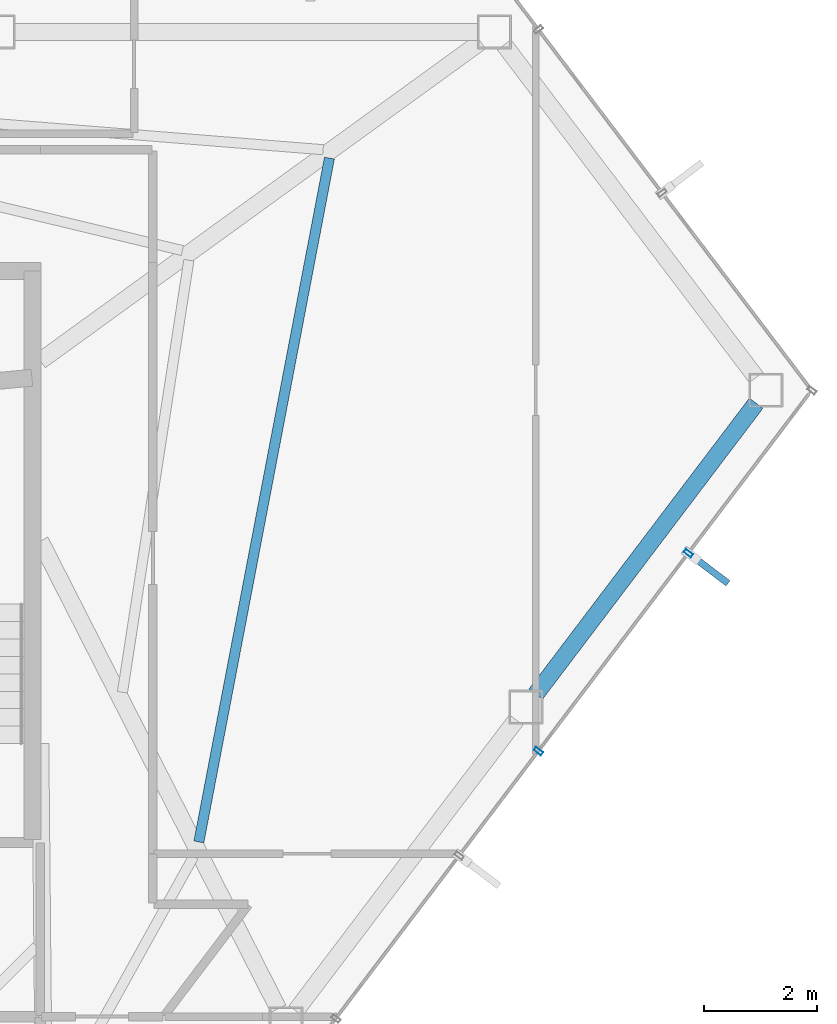
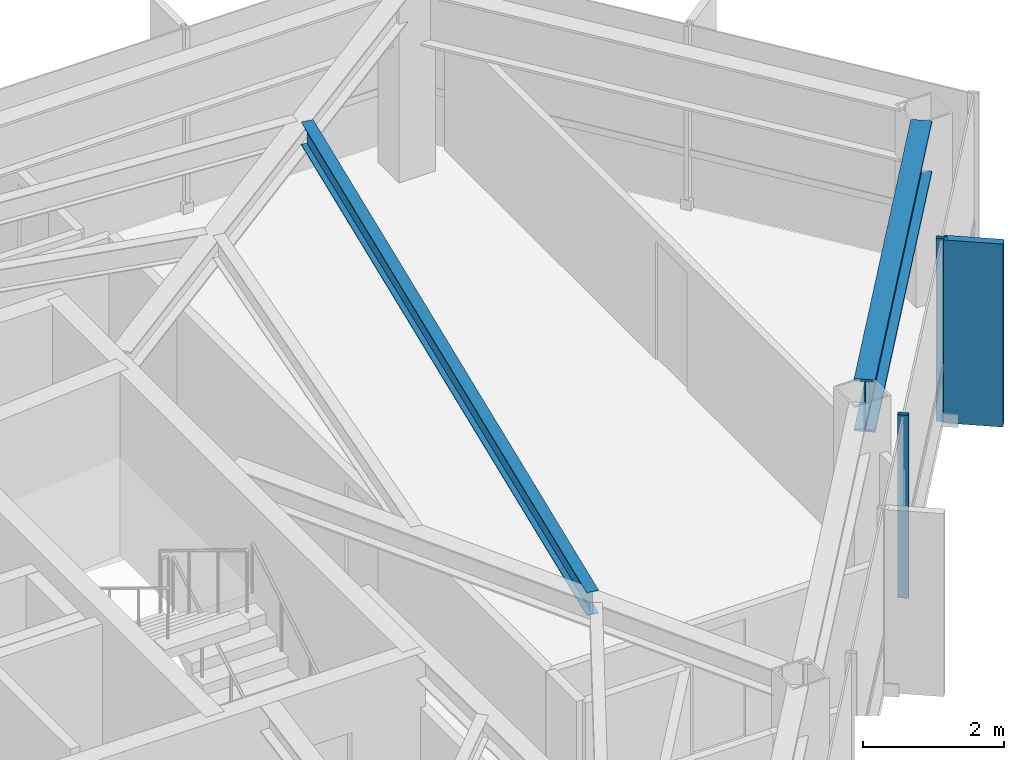
# One storey, part 20 of 28: 3 members, 2 beams, 1 element without a shape of its own.
"""IFC4 building model written with IfcOpenShell, lengths in metres."""

from ifc_helpers import new_model, si_unit, direction, frame, origin, origin_2d, place, context, subcontext, project, spatial, rectangle, hollow_rectangle, i_section, extrude, material, layer, layer_set, material_profile, profile_set, type_object, element, aggregate, save


model = new_model("IFC4")

# Units and contexts
model_context = context("Model", 3, precision=1e-05, world=origin(), true_north=direction((0.0, 1.0)))
body_context = subcontext(model_context, "Body", "Model", "MODEL_VIEW")
ifc_project = project(units=[si_unit("LENGTHUNIT", "METRE"), si_unit("AREAUNIT", "SQUARE_METRE"), si_unit("VOLUMEUNIT", "CUBIC_METRE"), si_unit("PLANEANGLEUNIT", "RADIAN"), si_unit("MASSUNIT", "GRAM", prefix="KILO")], contexts=[model_context])

# Site, building, storey
site_placement = place(None, origin())
site = spatial("IfcSite", under=ifc_project, at=site_placement, CompositionType="ELEMENT")
building_placement = place(site_placement, origin())
building = spatial("IfcBuilding", under=site, at=building_placement, Name="Zarrinselat Tower", CompositionType="ELEMENT")
storey_placement = place(building_placement, frame((0.0, 0.0, 222.360107421875)))
storey = spatial("IfcBuildingStorey", under=building, at=storey_placement, Name="L55", CompositionType="ELEMENT", Elevation=222.360107421875)

# Beams
ifc_material_1 = material(Name="Steel S460M", Category="steel")
ifc_material_profile_1 = material_profile(ifc_material_1, i_section(OverallWidth=0.302001953125, OverallDepth=0.909912109375, WebThickness=0.02099609375, FlangeThickness=0.0400390625, at=origin_2d()), Name="HEM 900")
ifc_profile_set_1 = profile_set([ifc_material_profile_1], Name="Steel S460M")
beam_type_1 = type_object("IfcBeamType", Name="BM-HEM900", PredefinedType="BEAM", material=ifc_profile_set_1)
beam_1_placement = place(storey_placement, frame((57.15087890625, 35.87890625, 2.724853515625), z_axis=(0.603878711073, 0.797076221144, 0.0), x_axis=(-0.797076221144, 0.603878711073, 0.0)))
element("IfcBeam", 1, at=beam_1_placement, inside=storey, type_object=beam_type_1, Name="L55 Perimeter Spandrel Girder SP14", PredefinedType="BEAM", context=body_context, shape_type="SweptSolid", body=[
    extrude(i_section(OverallWidth=0.302001953125, OverallDepth=0.909912109375, WebThickness=0.02099609375, FlangeThickness=0.0400390625, at=origin_2d()), origin(), (0.0, 0.0, 1.0), 6.48388671875),
])
ifc_material_2 = material(Name="Steel S355J2", Category="steel")
ifc_material_profile_2 = material_profile(ifc_material_2, i_section(OverallWidth=0.179931640625, OverallDepth=0.39990234375, WebThickness=0.008544921875, FlangeThickness=0.013427734375, at=origin_2d()), Name="IPE 400")
ifc_profile_set_2 = profile_set([ifc_material_profile_2], Name="Steel S355J2")
beam_type_2 = type_object("IfcBeamType", Name="BM-IPE400", PredefinedType="JOIST", material=ifc_profile_set_2)
beam_2_placement = place(storey_placement, frame((51.166015625, 33.253662109375, 2.97998046875), z_axis=(0.187575576194, 0.982250173436, 0.0), x_axis=(-0.982250173436, 0.187575576194, 0.0)))
element("IfcBeam", 2, at=beam_2_placement, inside=storey, type_object=beam_type_2, Name="L55 Composite Floor Joist 5-1", PredefinedType="JOIST", context=body_context, shape_type="SweptSolid", body=[
    extrude(i_section(OverallWidth=0.179931640625, OverallDepth=0.39990234375, WebThickness=0.008544921875, FlangeThickness=0.013427734375, at=origin_2d()), origin(), (0.0, 0.0, 1.0), 12.36865234375),
])

# Curtain wall, members
ifc_material_3 = material(Name="Extruded Aluminium Alloy EN AW-6063 T6", Category="aluminium")
ifc_layer = layer(ifc_material_3, 0.169921875)
ifc_layer_set = layer_set([ifc_layer], Name="Extruded Aluminium Alloy EN AW-6063 T6")
curtain_wall_type = type_object("IfcCurtainWallType", Name="CWS-RES", PredefinedType="NOTDEFINED", material=ifc_layer_set)
curtain_wall_placement = place(storey_placement, origin())
curtain_wall = element("IfcCurtainWall", 3, at=curtain_wall_placement, inside=storey, type_object=curtain_wall_type, Name="L55 Unitised Curtain Wall CW-L55-E05", PredefinedType="NOTDEFINED")
ifc_material_4 = material(Name="Extruded Aluminium Alloy EN AW-6063 T6", Category="aluminium")
ifc_material_profile_3 = material_profile(ifc_material_4, hollow_rectangle(XDim=0.070068359375, YDim=0.159912109375, WallThickness=0.00390625, at=origin_2d()), Name="RHS 160x70x4")
ifc_profile_set_3 = profile_set([ifc_material_profile_3], Name="Extruded Aluminium Alloy EN AW-6063 T6")
member_type_1 = type_object("IfcMemberType", Name="MEM-CW-MUL2", PredefinedType="MULLION", material=ifc_profile_set_3)
member_1_placement = place(storey_placement, frame((57.1982421875, 34.864990234375, 0.0), z_axis=(0.0, 0.0, 1.0), x_axis=(0.603859212041, 0.797090993572, 0.0)))
member_1 = element("IfcMember", 4, at=member_1_placement, type_object=member_type_1, Name="CW-L55-E05 Mullion 6", PredefinedType="MULLION", context=body_context, shape_type="SweptSolid", body=[
    extrude(hollow_rectangle(XDim=0.070068359375, YDim=0.159912109375, WallThickness=0.00390625, at=origin_2d()), origin(), (0.0, 0.0, 1.0), 3.179931640625),
])
member_2_placement = place(storey_placement, frame((59.862548828125, 38.3818359375, 0.0), z_axis=(0.0, 0.0, 1.0), x_axis=(0.603859212041, 0.797090993572, 0.0)))
member_2 = element("IfcMember", 5, at=member_2_placement, type_object=member_type_1, Name="CW-L55-E05 Mullion 7", PredefinedType="MULLION", context=body_context, shape_type="SweptSolid", body=[
    extrude(hollow_rectangle(XDim=0.070068359375, YDim=0.159912109375, WallThickness=0.00390625, at=origin_2d()), origin(), (0.0, 0.0, 1.0), 3.179931640625),
])
ifc_material_5 = material(Name="Honed Cream Travertine Stone", Category="masonry")
ifc_material_profile_4 = material_profile(ifc_material_5, rectangle(XDim=0.1201171875, YDim=0.85009765625, at=origin_2d()), Name="FIN 850x120")
ifc_profile_set_4 = profile_set([ifc_material_profile_4], Name="Honed Cream Travertine Stone")
member_type_2 = type_object("IfcMemberType", Name="MEM-STONE-FIN", PredefinedType="USERDEFINED", material=ifc_profile_set_4)
member_3_placement = place(storey_placement, frame((60.229248046875, 38.10400390625, 0.0), z_axis=(0.0, 0.0, 1.0), x_axis=(-0.603859212041, -0.797090993572, 0.0)))
member_3 = element("IfcMember", 6, at=member_3_placement, type_object=member_type_2, Name="L55 Stone Shading Fin CW-L55-E05-07", ObjectType="FIN", PredefinedType="USERDEFINED", context=body_context, shape_type="SweptSolid", body=[
    extrude(rectangle(XDim=0.1201171875, YDim=0.85009765625, at=origin_2d()), origin(), (0.0, 0.0, 1.0), 3.179931640625),
])
aggregate(curtain_wall, [member_1, member_2, member_3])

save(model, "model.ifc")
